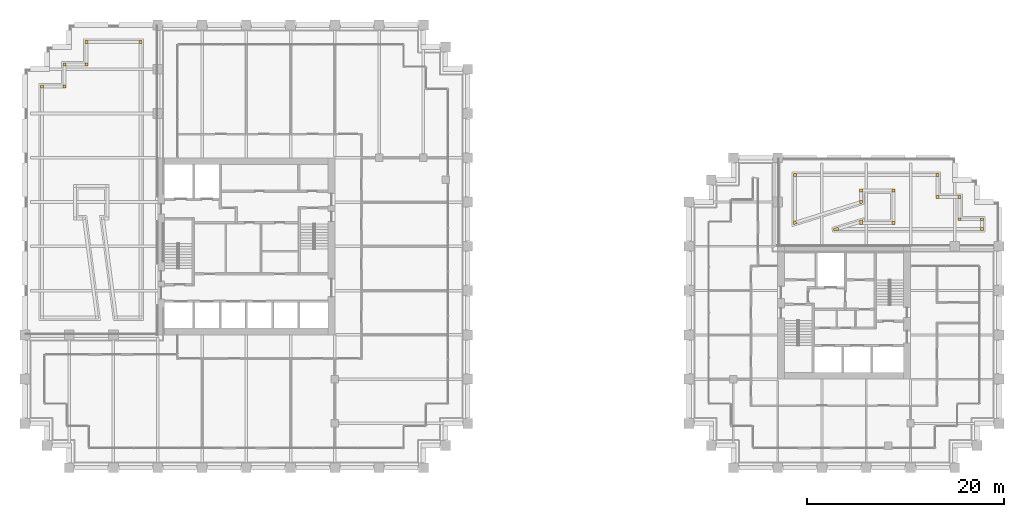
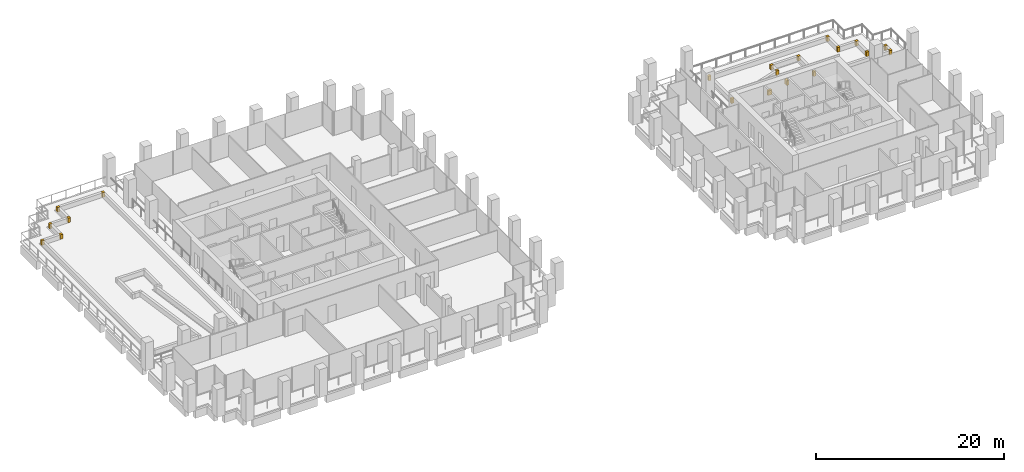
# One storey, part 52 of 52: 20 coverings.
"""IFC4 building model written with IfcOpenShell, lengths in metres."""

from ifc_helpers import new_model, si_unit, direction, frame, origin, place, context, subcontext, project, spatial, polyline, outline, extrude, material, layer, layer_set, type_object, element, save


model = new_model("IFC4")

# Units and contexts
model_context = context("Model", 3, precision=1e-05, world=origin(), true_north=direction((0.0, 1.0)))
body_context = subcontext(model_context, "Body", "Model", "MODEL_VIEW")
ifc_project = project(units=[si_unit("LENGTHUNIT", "METRE"), si_unit("AREAUNIT", "SQUARE_METRE"), si_unit("VOLUMEUNIT", "CUBIC_METRE"), si_unit("PLANEANGLEUNIT", "RADIAN"), si_unit("MASSUNIT", "GRAM", prefix="KILO")], contexts=[model_context])

# Site, building, storey
site_placement = place(None, origin())
site = spatial("IfcSite", under=ifc_project, at=site_placement, CompositionType="ELEMENT")
building_placement = place(site_placement, origin())
building = spatial("IfcBuilding", under=site, at=building_placement, Name="Altepetl Exchange Towers", CompositionType="ELEMENT")
storey_placement = place(building_placement, frame((0.0, 0.0, 92.0)))
storey = spatial("IfcBuildingStorey", under=building, at=storey_placement, Name="L22", CompositionType="ELEMENT", Elevation=92.0)

# Coverings
ifc_material = material(Name="Concrete C30/37", Category="concrete")
ifc_layer = layer(ifc_material, 0.300048828125)
ifc_layer_set = layer_set([ifc_layer], Name="Concrete C30/37")
covering_type = type_object("IfcCoveringType", Name="Planter corner block 300 concrete", PredefinedType="CLADDING", material=ifc_layer_set)
covering_1_placement = place(storey_placement, origin())
element("IfcCovering", 1, at=covering_1_placement, inside=storey, type_object=covering_type, Name="Planter corner block", PredefinedType="CLADDING", context=body_context, shape_type="SweptSolid", body=[
    extrude(outline(polyline([(33.39990234375, 67.85009765625), (33.39990234375, 68.14990234375), (33.10009765625, 68.14990234375), (33.10009765625, 67.85009765625), (33.39990234375, 67.85009765625)])), origin(), (0.0, 0.0, 1.0), 0.60009765625),
])
covering_2_placement = place(storey_placement, origin())
element("IfcCovering", 2, at=covering_2_placement, inside=storey, type_object=covering_type, Name="Planter corner block", PredefinedType="CLADDING", context=body_context, shape_type="SweptSolid", body=[
    extrude(outline(polyline([(31.14990234375, 67.85009765625), (31.14990234375, 68.14990234375), (30.85009765625, 68.14990234375), (30.85009765625, 67.85009765625), (31.14990234375, 67.85009765625)])), origin(), (0.0, 0.0, 1.0), 0.60009765625),
])
covering_3_placement = place(storey_placement, origin())
element("IfcCovering", 3, at=covering_3_placement, inside=storey, type_object=covering_type, Name="Planter corner block", PredefinedType="CLADDING", context=body_context, shape_type="SweptSolid", body=[
    extrude(outline(polyline([(30.85009765625, 65.60009765625), (31.14990234375, 65.60009765625), (31.14990234375, 65.89990234375), (30.85009765625, 65.89990234375), (30.85009765625, 65.60009765625)])), origin(), (0.0, 0.0, 1.0), 0.60009765625),
])
covering_4_placement = place(storey_placement, origin())
element("IfcCovering", 4, at=covering_4_placement, inside=storey, type_object=covering_type, Name="Planter corner block", PredefinedType="CLADDING", context=body_context, shape_type="SweptSolid", body=[
    extrude(outline(polyline([(28.89990234375, 65.60009765625), (28.89990234375, 65.89990234375), (28.60009765625, 65.89990234375), (28.60009765625, 65.60009765625), (28.89990234375, 65.60009765625)])), origin(), (0.0, 0.0, 1.0), 0.60009765625),
])
covering_5_placement = place(storey_placement, origin())
element("IfcCovering", 5, at=covering_5_placement, inside=storey, type_object=covering_type, Name="Planter corner block", PredefinedType="CLADDING", context=body_context, shape_type="SweptSolid", body=[
    extrude(outline(polyline([(38.60009765625, 70.10009765625), (38.89990234375, 70.10009765625), (38.89990234375, 70.39990234375), (38.60009765625, 70.39990234375), (38.60009765625, 70.10009765625)])), origin(), (0.0, 0.0, 1.0), 0.60009765625),
])
covering_6_placement = place(storey_placement, origin())
element("IfcCovering", 6, at=covering_6_placement, inside=storey, type_object=covering_type, Name="Planter corner block", PredefinedType="CLADDING", context=body_context, shape_type="SweptSolid", body=[
    extrude(outline(polyline([(33.39990234375, 70.10009765625), (33.39990234375, 70.39990234375), (33.10009765625, 70.39990234375), (33.10009765625, 70.10009765625), (33.39990234375, 70.10009765625)])), origin(), (0.0, 0.0, 1.0), 0.60009765625),
])
covering_7_placement = place(storey_placement, origin())
element("IfcCovering", 7, at=covering_7_placement, inside=storey, type_object=covering_type, Name="Planter corner block", PredefinedType="CLADDING", context=body_context, shape_type="SweptSolid", body=[
    extrude(outline(polyline([(109.20849609375, 51.10009765625), (109.685302734375, 51.10009765625), (109.685302734375, 51.27294921875), (109.6337890625, 51.43798828125), (109.1787109375, 51.29541015625), (109.17529296875, 51.25), (109.177001953125, 51.214599609375), (109.18212890625, 51.1796875), (109.19091796875, 51.1455078125), (109.20849609375, 51.10009765625)])), origin(), (0.0, 0.0, 1.0), 0.60009765625),
])
covering_8_placement = place(storey_placement, origin())
element("IfcCovering", 8, at=covering_8_placement, inside=storey, type_object=covering_type, Name="Planter corner block", PredefinedType="CLADDING", context=body_context, shape_type="SweptSolid", body=[
    extrude(outline(polyline([(124.10009765625, 51.39990234375), (124.10009765625, 51.10009765625), (124.39990234375, 51.10009765625), (124.39990234375, 51.39990234375), (124.10009765625, 51.39990234375)])), origin(), (0.0, 0.0, 1.0), 0.60009765625),
])
covering_9_placement = place(storey_placement, origin())
element("IfcCovering", 9, at=covering_9_placement, inside=storey, type_object=covering_type, Name="Planter corner block", PredefinedType="CLADDING", context=body_context, shape_type="SweptSolid", body=[
    extrude(outline(polyline([(124.10009765625, 52.10009765625), (124.39990234375, 52.10009765625), (124.39990234375, 52.39990234375), (124.10009765625, 52.39990234375), (124.10009765625, 52.10009765625)])), origin(), (0.0, 0.0, 1.0), 0.60009765625),
])
covering_10_placement = place(storey_placement, origin())
element("IfcCovering", 10, at=covering_10_placement, inside=storey, type_object=covering_type, Name="Planter corner block", PredefinedType="CLADDING", context=body_context, shape_type="SweptSolid", body=[
    extrude(outline(polyline([(121.85009765625, 52.39990234375), (121.85009765625, 52.10009765625), (122.14990234375, 52.10009765625), (122.14990234375, 52.39990234375), (121.85009765625, 52.39990234375)])), origin(), (0.0, 0.0, 1.0), 0.60009765625),
])
covering_11_placement = place(storey_placement, origin())
element("IfcCovering", 11, at=covering_11_placement, inside=storey, type_object=covering_type, Name="Planter corner block", PredefinedType="CLADDING", context=body_context, shape_type="SweptSolid", body=[
    extrude(outline(polyline([(121.85009765625, 54.35009765625), (122.14990234375, 54.35009765625), (122.14990234375, 54.64990234375), (121.85009765625, 54.64990234375), (121.85009765625, 54.35009765625)])), origin(), (0.0, 0.0, 1.0), 0.60009765625),
])
covering_12_placement = place(storey_placement, origin())
element("IfcCovering", 12, at=covering_12_placement, inside=storey, type_object=covering_type, Name="Planter corner block", PredefinedType="CLADDING", context=body_context, shape_type="SweptSolid", body=[
    extrude(outline(polyline([(119.60009765625, 54.64990234375), (119.60009765625, 54.35009765625), (119.89990234375, 54.35009765625), (119.89990234375, 54.64990234375), (119.60009765625, 54.64990234375)])), origin(), (0.0, 0.0, 1.0), 0.60009765625),
])
covering_13_placement = place(storey_placement, origin())
element("IfcCovering", 13, at=covering_13_placement, inside=storey, type_object=covering_type, Name="Planter corner block", PredefinedType="CLADDING", context=body_context, shape_type="SweptSolid", body=[
    extrude(outline(polyline([(119.60009765625, 56.60009765625), (119.89990234375, 56.60009765625), (119.89990234375, 56.89990234375), (119.60009765625, 56.89990234375), (119.60009765625, 56.60009765625)])), origin(), (0.0, 0.0, 1.0), 0.60009765625),
])
covering_14_placement = place(storey_placement, origin())
element("IfcCovering", 14, at=covering_14_placement, inside=storey, type_object=covering_type, Name="Planter corner block", PredefinedType="CLADDING", context=body_context, shape_type="SweptSolid", body=[
    extrude(outline(polyline([(105.39990234375, 56.60009765625), (105.39990234375, 56.89990234375), (105.10009765625, 56.89990234375), (105.10009765625, 56.60009765625), (105.39990234375, 56.60009765625)])), origin(), (0.0, 0.0, 1.0), 0.60009765625),
])
covering_15_placement = place(storey_placement, origin())
element("IfcCovering", 15, at=covering_15_placement, inside=storey, type_object=covering_type, Name="Planter corner block", PredefinedType="CLADDING", context=body_context, shape_type="SweptSolid", body=[
    extrude(outline(polyline([(105.360107421875, 52.050048828125), (105.10009765625, 52.050048828125), (105.10009765625, 51.69580078125), (105.43798828125, 51.8017578125), (105.360107421875, 52.050048828125)])), origin(), (0.0, 0.0, 1.0), 0.60009765625),
])
covering_16_placement = place(storey_placement, origin())
element("IfcCovering", 16, at=covering_16_placement, inside=storey, type_object=covering_type, Name="Planter corner block", PredefinedType="CLADDING", context=body_context, shape_type="SweptSolid", body=[
    extrude(outline(polyline([(111.876708984375, 53.81640625), (111.7080078125, 53.763427734375), (112.125, 53.893798828125), (112.125, 54.154296875), (111.824951171875, 54.154296875), (111.824951171875, 54.114501953125), (111.787109375, 54.1025390625), (111.876708984375, 53.81640625)])), origin(), (0.0, 0.0, 1.0), 0.60009765625),
])
covering_17_placement = place(storey_placement, origin())
element("IfcCovering", 17, at=covering_17_placement, inside=storey, type_object=covering_type, Name="Planter corner block", PredefinedType="CLADDING", context=body_context, shape_type="SweptSolid", body=[
    extrude(outline(polyline([(112.125, 55.324951171875), (111.824951171875, 55.324951171875), (111.824951171875, 55.02490234375), (112.125, 55.02490234375), (112.125, 55.324951171875)])), origin(), (0.0, 0.0, 1.0), 0.60009765625),
])
covering_18_placement = place(storey_placement, origin())
element("IfcCovering", 18, at=covering_18_placement, inside=storey, type_object=covering_type, Name="Planter corner block", PredefinedType="CLADDING", context=body_context, shape_type="SweptSolid", body=[
    extrude(outline(polyline([(115.425048828125, 55.02490234375), (115.425048828125, 55.324951171875), (115.125, 55.324951171875), (115.125, 55.02490234375), (115.425048828125, 55.02490234375)])), origin(), (0.0, 0.0, 1.0), 0.60009765625),
])
covering_19_placement = place(storey_placement, origin())
element("IfcCovering", 19, at=covering_19_placement, inside=storey, type_object=covering_type, Name="Planter corner block", PredefinedType="CLADDING", context=body_context, shape_type="SweptSolid", body=[
    extrude(outline(polyline([(115.125, 51.72509765625), (115.425048828125, 51.72509765625), (115.425048828125, 52.02490234375), (115.125, 52.02490234375), (115.125, 51.72509765625)])), origin(), (0.0, 0.0, 1.0), 0.60009765625),
])
covering_20_placement = place(storey_placement, origin())
element("IfcCovering", 20, at=covering_20_placement, inside=storey, type_object=covering_type, Name="Planter corner block", PredefinedType="CLADDING", context=body_context, shape_type="SweptSolid", body=[
    extrude(outline(polyline([(112.125, 52.201904296875), (112.103759765625, 52.210693359375), (111.677490234375, 52.077392578125), (111.787109375, 52.11181640625), (111.876708984375, 51.825439453125), (111.824951171875, 51.80908203125), (111.824951171875, 51.72509765625), (112.125, 51.72509765625), (112.125, 52.201904296875)])), origin(), (0.0, 0.0, 1.0), 0.60009765625),
])

save(model, "model.ifc")
